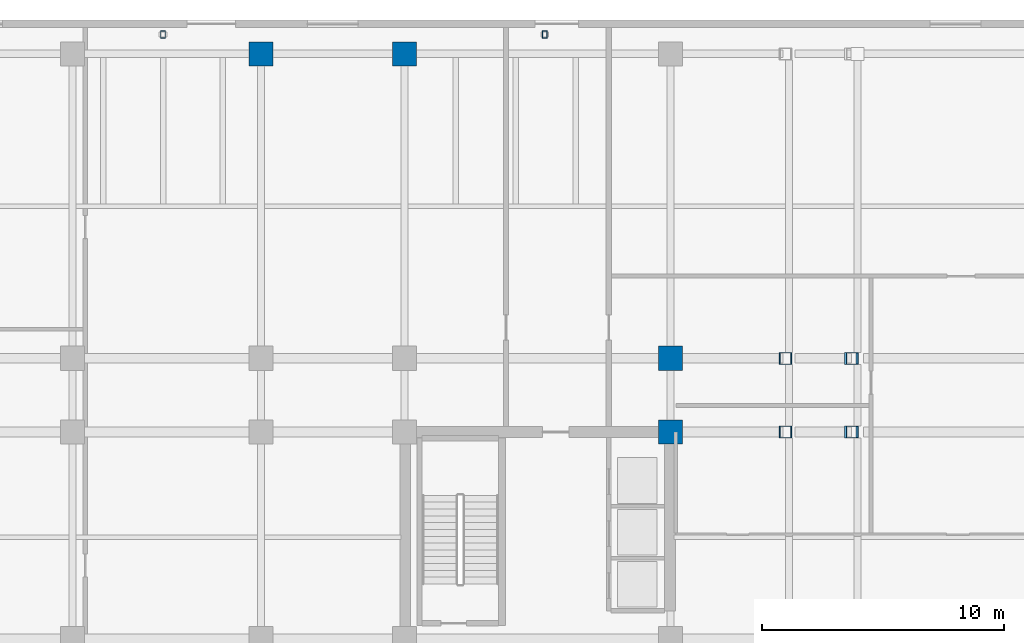
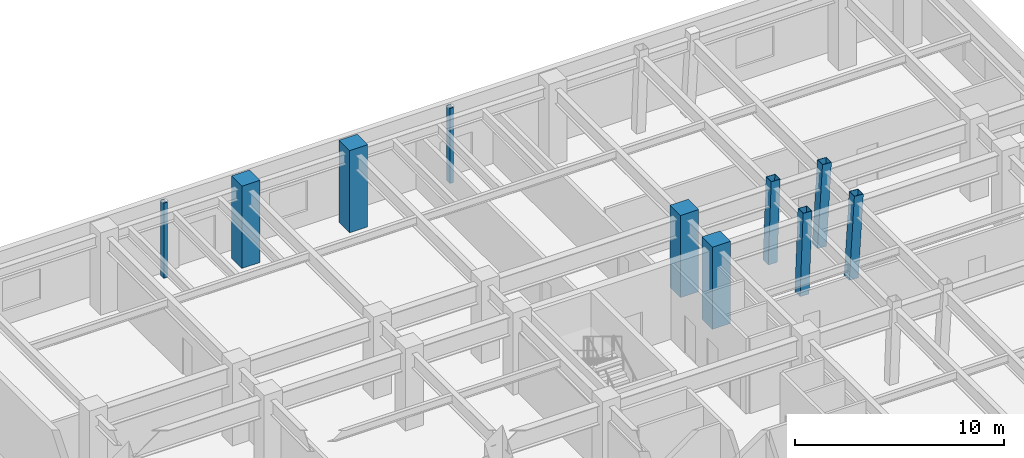
# One storey, part 3 of 13: 10 columns.
"""IFC4 building model written with IfcOpenShell, lengths in metres."""

from ifc_helpers import new_model, si_unit, direction, frame, origin, origin_2d, place, context, subcontext, project, spatial, rectangle, hollow_rectangle, extrude, material, material_profile, profile_set, type_object, element, save


model = new_model("IFC4")

# Units and contexts
model_context = context("Model", 3, precision=1e-05, world=origin(), true_north=direction((0.0, 1.0)))
body_context = subcontext(model_context, "Body", "Model", "MODEL_VIEW")
ifc_project = project(units=[si_unit("LENGTHUNIT", "METRE"), si_unit("AREAUNIT", "SQUARE_METRE"), si_unit("VOLUMEUNIT", "CUBIC_METRE"), si_unit("PLANEANGLEUNIT", "RADIAN"), si_unit("MASSUNIT", "GRAM", prefix="KILO")], contexts=[model_context])

# Site, building, storey
site_placement = place(None, origin())
site = spatial("IfcSite", under=ifc_project, at=site_placement, CompositionType="ELEMENT")
building_placement = place(site_placement, origin())
building = spatial("IfcBuilding", under=site, at=building_placement, Name="Ochreholt Gables", CompositionType="ELEMENT")
storey_placement = place(building_placement, origin())
storey = spatial("IfcBuildingStorey", under=building, at=storey_placement, Name="L00", CompositionType="ELEMENT", Elevation=0.0)

# Columns
ifc_material_1 = material(Name="Steel CSA G40.21 350W", Category="steel")
ifc_material_profile_1 = material_profile(ifc_material_1, hollow_rectangle(XDim=0.5, YDim=0.5, WallThickness=0.02197265625, at=origin_2d()), Name="HSS500X500X22")
ifc_profile_set_1 = profile_set([ifc_material_profile_1], Name="Steel CSA G40.21 350W")
column_type_1 = type_object("IfcColumnType", Name="COL-HSS500-RAK", PredefinedType="COLUMN", material=ifc_profile_set_1)
for number, where, z_axis, x_axis, name in (
    (1, (39.93603515625, 38.75, 0.0), (0.034971728386, 0.0, 0.99938830202), (0.0, 1.0, 0.0), "L00 Column EMY5"),
    (2, (39.93603515625, 41.800048828125, 0.0), (0.034971728386, 0.0, 0.99938830202), (0.0, 1.0, 0.0), "L00 Column EMY6"),
):
    element("IfcColumn", number, at=place(storey_placement, frame(where, z_axis=z_axis, x_axis=x_axis)), inside=storey, type_object=column_type_1, Name=name, PredefinedType="COLUMN", context=body_context, shape_type="SweptSolid", body=[
        extrude(hollow_rectangle(XDim=0.5, YDim=0.5, WallThickness=0.02197265625, at=origin_2d()), origin(), (0.0, 0.0, 1.0), 4.802978515625),
    ])
for number, where, z_axis, x_axis, name in (
    (3, (42.65673828125, 38.75, 0.0), (0.057936190876, 0.0, 0.998320288177), (0.0, 1.0, 0.0), "L00 Column EEY5"),
    (4, (42.65673828125, 41.800048828125, 0.0), (0.057936190876, 0.0, 0.998320288177), (0.0, 1.0, 0.0), "L00 Column EEY6"),
):
    element("IfcColumn", number, at=place(storey_placement, frame(where, z_axis=z_axis, x_axis=x_axis)), inside=storey, type_object=column_type_1, Name=name, PredefinedType="COLUMN", context=body_context, shape_type="SweptSolid", body=[
        extrude(hollow_rectangle(XDim=0.5, YDim=0.5, WallThickness=0.02197265625, at=origin_2d()), origin(), (0.0, 0.0, 1.0), 4.80810546875),
    ])
ifc_material_2 = material(Name="Concrete 60 MPa", Category="concrete")
ifc_material_profile_2 = material_profile(ifc_material_2, rectangle(XDim=1.0, YDim=1.0, at=origin_2d()), Name="RC1000X1000")
ifc_profile_set_2 = profile_set([ifc_material_profile_2], Name="Concrete 60 MPa")
column_type_2 = type_object("IfcColumnType", Name="COL-RC1000-EXT", PredefinedType="COLUMN", material=ifc_profile_set_2)
for number, where, z_axis, x_axis, name in (
    (5, (18.25, 54.39990234375, 0.0), (0.0, 0.0, 1.0), (1.0, 0.0, 0.0), "L00 Column W3Y7"),
    (6, (24.199951171875, 54.39990234375, 0.0), (0.0, 0.0, 1.0), (1.0, 0.0, 0.0), "L00 Column C1Y7"),
):
    element("IfcColumn", number, at=place(storey_placement, frame(where, z_axis=z_axis, x_axis=x_axis)), inside=storey, type_object=column_type_2, Name=name, PredefinedType="COLUMN", context=body_context, shape_type="SweptSolid", body=[
        extrude(rectangle(XDim=1.0, YDim=1.0, at=origin_2d()), origin(), (0.0, 0.0, 1.0), 4.800048828125),
    ])
ifc_material_profile_3 = material_profile(ifc_material_2, rectangle(XDim=1.0, YDim=1.0, at=origin_2d()), Name="RC1000X1000")
ifc_profile_set_3 = profile_set([ifc_material_profile_3], Name="Concrete 60 MPa")
column_type_3 = type_object("IfcColumnType", Name="COL-RC1000-INT", PredefinedType="COLUMN", material=ifc_profile_set_3)
for number, where, z_axis, x_axis, name in (
    (7, (35.199951171875, 38.75, 0.0), (0.0, 0.0, 1.0), (1.0, 0.0, 0.0), "L00 Column C2Y5"),
    (8, (35.199951171875, 41.800048828125, 0.0), (0.0, 0.0, 1.0), (1.0, 0.0, 0.0), "L00 Column C2Y6"),
):
    element("IfcColumn", number, at=place(storey_placement, frame(where, z_axis=z_axis, x_axis=x_axis)), inside=storey, type_object=column_type_3, Name=name, PredefinedType="COLUMN", context=body_context, shape_type="SweptSolid", body=[
        extrude(rectangle(XDim=1.0, YDim=1.0, at=origin_2d()), origin(), (0.0, 0.0, 1.0), 4.800048828125),
    ])
ifc_material_profile_4 = material_profile(ifc_material_1, hollow_rectangle(XDim=0.202880859375, YDim=0.304931640625, WallThickness=0.0126953125, at=origin_2d()), Name="HSS305X203X13")
ifc_profile_set_4 = profile_set([ifc_material_profile_4], Name="Steel CSA G40.21 350W")
column_type_4 = type_object("IfcColumnType", Name="PIL-HSS305-EXT", PredefinedType="PILASTER", material=ifc_profile_set_4)
for number, where, z_axis, x_axis, name in (
    (9, (14.199951171875, 55.199951171875, 0.0), (0.0, 0.0, 1.0), (1.0, 0.0, 0.0), "L00 Engaged Pilaster PL3"),
    (10, (30.0, 55.199951171875, 0.0), (0.0, 0.0, 1.0), (1.0, 0.0, 0.0), "L00 Engaged Pilaster PL4"),
):
    element("IfcColumn", number, at=place(storey_placement, frame(where, z_axis=z_axis, x_axis=x_axis)), inside=storey, type_object=column_type_4, Name=name, PredefinedType="PILASTER", context=body_context, shape_type="SweptSolid", body=[
        extrude(hollow_rectangle(XDim=0.202880859375, YDim=0.304931640625, WallThickness=0.0126953125, at=origin_2d()), origin(), (0.0, 0.0, 1.0), 4.389892578125),
    ])

save(model, "model.ifc")
